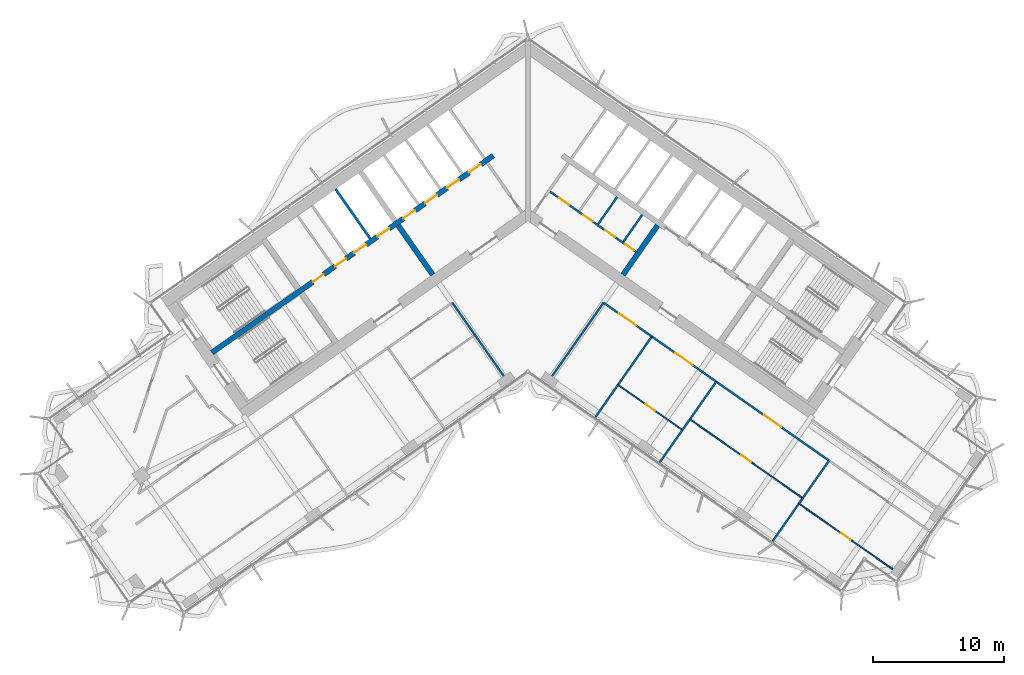
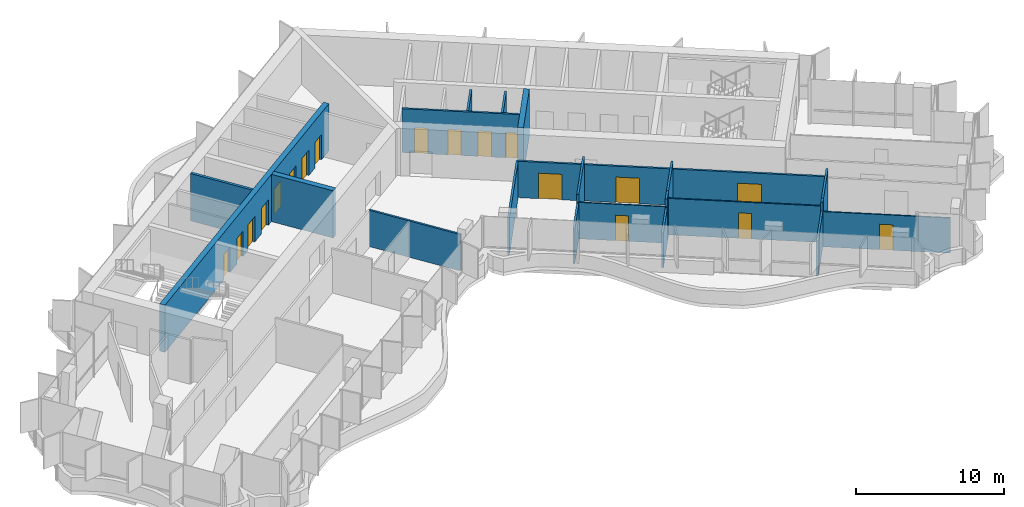
# One storey, part 15 of 23: 24 walls, 18 doors, 18 openings.
"""IFC4 building model written with IfcOpenShell, lengths in metres."""

import ifcopenshell
import ifcopenshell.guid

model = None  # the IFC model being written
_history = None  # IfcOwnerHistory: only IFC2X3 demands one
_inside = {}  # id of a spatial element -> (the spatial element, [elements in it])
_under = {}  # id of a project, library or spatial element -> (it, [spatial elements below it])
_declared = {}  # id of a project -> (the project, [libraries it declares])
_typed = {}  # id of a type object -> (the type object, [elements of that type])
_made_of = {}  # id of a material, layer set ... -> (it, [elements and type objects made of it])


def new_model(schema):
    """Start an empty IFC model of exactly this schema.

    Asked for "IFC4X3", IfcOpenShell would pick the latest addendum, in which some entities
    have other attributes; the version numbers below select the first issue.
    IFC2X3 requires an IfcOwnerHistory on every rooted entity: one is made here for all.
    """
    global model, _history
    if schema == "IFC4X3":
        model = ifcopenshell.file(schema_version=(4, 3, 0, 0))
    else:
        model = ifcopenshell.file(schema=schema)
    _inside.clear()
    _under.clear()
    _declared.clear()
    _typed.clear()
    _made_of.clear()
    _history = None
    if model.schema == "IFC2X3":
        org = make("IfcOrganization", Name="unknown")
        user = make(
            "IfcPersonAndOrganization",
            ThePerson=make("IfcPerson", FamilyName="unknown"),
            TheOrganization=org,
        )
        app = make(
            "IfcApplication",
            ApplicationDeveloper=org,
            Version="unknown",
            ApplicationFullName="unknown",
            ApplicationIdentifier="unknown",
        )
        _history = make(
            "IfcOwnerHistory",
            OwningUser=user,
            OwningApplication=app,
            ChangeAction="ADDED",
            CreationDate=0,
        )
    return model


def make(cls, **values):
    """One entity of the class cls with the attributes given. An attribute that is None is left unset."""
    return model.create_entity(
        cls, **{name: value for name, value in values.items() if value is not None}
    )


def rooted(cls, **values):
    """An entity with a GlobalId (a new one), such as an element, a storey or a relation."""
    return make(cls, GlobalId=ifcopenshell.guid.new(), OwnerHistory=_history, **values)


def si_unit(unit_type, name, prefix=None):
    """IfcSIUnit, for example si_unit("LENGTHUNIT", "METRE", prefix="MILLI")."""
    return make("IfcSIUnit", UnitType=unit_type, Prefix=prefix, Name=name)


def assignment(units):
    """IfcUnitAssignment: the units of a project."""
    return None if units is None else make("IfcUnitAssignment", Units=units)


def point(xyz):
    """IfcCartesianPoint."""
    return None if xyz is None else make("IfcCartesianPoint", Coordinates=xyz)


def direction(xyz):
    """IfcDirection."""
    return None if xyz is None else make("IfcDirection", DirectionRatios=xyz)


def frame(location, z_axis=None, x_axis=None):
    """IfcAxis2Placement3D, a coordinate frame: its origin and axes. An axis left out is left unset."""
    return make(
        "IfcAxis2Placement3D",
        Location=point(location),
        Axis=direction(z_axis),
        RefDirection=direction(x_axis),
    )


def frame_2d(location, x_axis=None):
    """IfcAxis2Placement2D, a coordinate frame in the plane: its origin and x axis."""
    return make(
        "IfcAxis2Placement2D", Location=point(location), RefDirection=direction(x_axis)
    )


def origin():
    """The frame at (0, 0, 0) with its axes left unset."""
    return frame((0.0, 0.0, 0.0))


def place(relative_to, where):
    """IfcLocalPlacement: puts the frame where relative to a parent placement (None: the world)."""
    return make(
        "IfcLocalPlacement", PlacementRelTo=relative_to, RelativePlacement=where
    )


def context(
    kind, dimensions, precision=None, world=None, true_north=None, identifier=None
):
    """IfcGeometricRepresentationContext, for example the 3D "Model" context."""
    return make(
        "IfcGeometricRepresentationContext",
        ContextIdentifier=identifier,
        ContextType=kind,
        CoordinateSpaceDimension=dimensions,
        Precision=precision,
        WorldCoordinateSystem=world,
        TrueNorth=true_north,
    )


def subcontext(parent, identifier, kind, view, scale=None):
    """IfcGeometricRepresentationSubContext, for example "Body" below "Model"."""
    return make(
        "IfcGeometricRepresentationSubContext",
        ContextIdentifier=identifier,
        ContextType=kind,
        ParentContext=parent,
        TargetScale=scale,
        TargetView=view,
    )


def project(units=None, contexts=None):
    """IfcProject with its units and contexts."""
    return rooted(
        "IfcProject",
        Name="project",
        RepresentationContexts=contexts,
        UnitsInContext=assignment(units),
    )


def spatial(cls, under=None, at=None, **own):
    """A site, building, storey or space (cls), placed at a placement, below another one or the project."""
    s = rooted(cls, ObjectPlacement=at, **own)
    if under is not None:
        _under.setdefault(under.id(), (under, []))[1].append(s)
    return s


def polyline(points):
    """IfcPolyline through the points."""
    return make("IfcPolyline", Points=[point(p) for p in points])


def profile(cls, at=None, kind="AREA", **sizes):
    """A parametric profile (cls). Its sizes go by their IFC names, for example OverallWidth=200.0."""
    return make(cls, ProfileType=kind, Position=at, **sizes)


def rectangle(**sizes):
    """IfcRectangleProfileDef."""
    return profile("IfcRectangleProfileDef", **sizes)


def outline(outer, holes=None, kind="AREA"):
    """IfcArbitraryClosedProfileDef: a profile drawn as a closed curve; with holes, ...WithVoids."""
    if holes is None:
        return make("IfcArbitraryClosedProfileDef", ProfileType=kind, OuterCurve=outer)
    return make(
        "IfcArbitraryProfileDefWithVoids",
        ProfileType=kind,
        OuterCurve=outer,
        InnerCurves=holes,
    )


def extrude(swept, where, along, depth):
    """IfcExtrudedAreaSolid: the profile swept, set in the frame where, extruded along a direction by depth."""
    return make(
        "IfcExtrudedAreaSolid",
        SweptArea=swept,
        Position=where,
        ExtrudedDirection=direction(along),
        Depth=depth,
    )


def shape(context_of_items, identifier, shape_type, items):
    """IfcShapeRepresentation: the items that make up one representation, for example the "Body"."""
    return make(
        "IfcShapeRepresentation",
        ContextOfItems=context_of_items,
        RepresentationIdentifier=identifier,
        RepresentationType=shape_type,
        Items=items,
    )


def material(Name=None, Category=None):
    """IfcMaterial."""
    return make("IfcMaterial", Name=Name, Category=Category)


def layer(
    of_material, thickness, ventilated=None, Name=None, Category=None, Priority=None
):
    """IfcMaterialLayer: one layer of a wall or slab, of a material (None: an air gap)."""
    return make(
        "IfcMaterialLayer",
        Material=of_material,
        LayerThickness=thickness,
        IsVentilated=ventilated,
        Name=Name,
        Category=Category,
        Priority=Priority,
    )


def layer_set(layers, Name=None):
    """IfcMaterialLayerSet."""
    return make("IfcMaterialLayerSet", MaterialLayers=layers, LayerSetName=Name)


def made_of(thing, what):
    """Note that an element or type object is made of a material, layer set ...; save() writes the relation."""
    if what is not None:
        _made_of.setdefault(what.id(), (what, []))[1].append(thing)
    return thing


def type_object(cls, material=None, **own):
    """A type object (cls), such as IfcWallType, which elements share."""
    return made_of(rooted(cls, **own), material)


def element(
    cls,
    number,
    at=None,
    inside=None,
    cuts=None,
    type_object=None,
    material=None,
    context=None,
    identifier="Body",
    shape_type=None,
    held_by="IfcProductDefinitionShape",
    body=None,
    shapes=None,
    **own,
):
    """One element of the class cls, such as IfcWall. Its Tag is "e" and its number.

    at: its placement. inside: the storey or other place that contains it. cuts: it is an
    opening in that element (IfcRelVoidsElement). A single representation is given by context,
    identifier, shape_type and body (its items); several are given by shapes. held_by: the class
    of the entity that holds the representations. save() writes the other relations.
    """
    e = rooted(cls, Tag="e%d" % number, ObjectPlacement=at, **own)
    if body is not None:
        shapes = [shape(context, identifier, shape_type, body)]
    if shapes is not None:
        e.Representation = make(held_by, Representations=shapes)
    if inside is not None:
        _inside.setdefault(inside.id(), (inside, []))[1].append(e)
    if cuts is not None:
        rooted(
            "IfcRelVoidsElement", RelatingBuildingElement=cuts, RelatedOpeningElement=e
        )
    if type_object is not None:
        _typed.setdefault(type_object.id(), (type_object, []))[1].append(e)
    return made_of(e, material)


def fill(opening, filler):
    """IfcRelFillsElement: the door or window that sits in an opening."""
    return rooted(
        "IfcRelFillsElement",
        RelatingOpeningElement=opening,
        RelatedBuildingElement=filler,
    )


def aggregate(whole, parts):
    """IfcRelAggregates: a whole, such as a stair, and the parts it consists of."""
    return rooted("IfcRelAggregates", RelatingObject=whole, RelatedObjects=parts)


def save(model, path):
    """Write the relations noted so far, then the file.

    IfcRelAggregates (storeys below a building ...), IfcRelContainedInSpatialStructure (elements
    in a storey), IfcRelDefinesByType, IfcRelAssociatesMaterial and IfcRelDeclares: one each for
    every whole, place, type object, material and project.
    """
    for whole, parts in _under.values():
        aggregate(whole, parts)
    for where, things in _inside.values():
        rooted(
            "IfcRelContainedInSpatialStructure",
            RelatedElements=things,
            RelatingStructure=where,
        )
    for kind, things in _typed.values():
        rooted("IfcRelDefinesByType", RelatedObjects=things, RelatingType=kind)
    for what, things in _made_of.values():
        rooted("IfcRelAssociatesMaterial", RelatedObjects=things, RelatingMaterial=what)
    for by, libraries in _declared.values():
        rooted("IfcRelDeclares", RelatingContext=by, RelatedDefinitions=libraries)
    model.write(path)


model = new_model("IFC4")

# Units and contexts
model_context = context("Model", 3, precision=1e-05, world=origin(), true_north=direction((0.0, 1.0)))
body_context = subcontext(model_context, "Body", "Model", "MODEL_VIEW")
ifc_project = project(units=[si_unit("LENGTHUNIT", "METRE"), si_unit("AREAUNIT", "SQUARE_METRE"), si_unit("VOLUMEUNIT", "CUBIC_METRE"), si_unit("PLANEANGLEUNIT", "RADIAN"), si_unit("MASSUNIT", "GRAM", prefix="KILO")], contexts=[model_context])

# Site, building, storey
site_placement = place(None, origin())
site = spatial("IfcSite", under=ifc_project, at=site_placement, CompositionType="ELEMENT")
building_placement = place(site_placement, origin())
building = spatial("IfcBuilding", under=site, at=building_placement, Name="Tel Ilan Convention Tower", CompositionType="ELEMENT")
storey_placement = place(building_placement, frame((0.0, 0.0, 198.300048828125)))
storey = spatial("IfcBuildingStorey", under=building, at=storey_placement, Name="L46", CompositionType="ELEMENT", Elevation=198.300048828125)

# Wall, openings, doors
ifc_material_1 = material(Name="Gypsum Plasterboard on Steel Stud", Category="steel")
ifc_layer_1 = layer(ifc_material_1, 0.14990234375)
ifc_layer_set_1 = layer_set([ifc_layer_1], Name="Core Room Partition Wall 150 mm EI 60")
wall_type_1 = type_object("IfcWallType", Name="Core Room Partition Wall 150 mm EI 60", PredefinedType="PARTITIONING", material=ifc_layer_set_1)
wall_1_placement = place(storey_placement, frame((1.687744140625, 1.015625, 0.0), z_axis=(0.0, 0.0, 1.0), x_axis=(0.819151624752, -0.573577035512, 0.0)))
wall_1 = element("IfcWall", 1, at=wall_1_placement, inside=storey, type_object=wall_type_1, Name="L46 core wall wc-h1", PredefinedType="PARTITIONING", context=body_context, shape_type="SweptSolid", body=[
    extrude(rectangle(XDim=8.0, YDim=0.14990234375, at=frame_2d((4.0, 0.0))), origin(), (0.0, 0.0, 1.0), 3.619873046875),
])
opening_1_placement = place(wall_1_placement, frame((0.85009765625, 0.0, 0.0)))
opening_1 = element("IfcOpeningElement", 2, at=opening_1_placement, cuts=wall_1, Name="Opening CD3613", PredefinedType="OPENING", context=body_context, shape_type="SweptSolid", body=[
    extrude(rectangle(XDim=0.89990234375, YDim=2.10009765625, at=frame_2d((0.449951171875, 1.050048828125))), frame((0.0, 0.0849609375, 0.0), z_axis=(0.0, -1.0, 0.0), x_axis=(1.0, 0.0, 0.0)), (0.0, 0.0, 1.0), 0.169921875),
])
opening_2_placement = place(wall_1_placement, frame((3.10009765625, 0.0, 0.0)))
opening_2 = element("IfcOpeningElement", 3, at=opening_2_placement, cuts=wall_1, Name="Opening CD3610", PredefinedType="OPENING", context=body_context, shape_type="SweptSolid", body=[
    extrude(rectangle(XDim=0.89990234375, YDim=2.10009765625, at=frame_2d((0.449951171875, 1.050048828125))), frame((0.0, 0.0849609375, 0.0), z_axis=(0.0, -1.0, 0.0), x_axis=(1.0, 0.0, 0.0)), (0.0, 0.0, 1.0), 0.169921875),
])
opening_3_placement = place(wall_1_placement, frame((5.14990234375, 0.0, 0.0)))
opening_3 = element("IfcOpeningElement", 4, at=opening_3_placement, cuts=wall_1, Name="Opening CD3612", PredefinedType="OPENING", context=body_context, shape_type="SweptSolid", body=[
    extrude(rectangle(XDim=0.89990234375, YDim=2.10009765625, at=frame_2d((0.449951171875, 1.050048828125))), frame((0.0, 0.0849609375, 0.0), z_axis=(0.0, -1.0, 0.0), x_axis=(1.0, 0.0, 0.0)), (0.0, 0.0, 1.0), 0.169921875),
])
opening_4_placement = place(wall_1_placement, frame((7.02490234375, 0.0, 0.0)))
opening_4 = element("IfcOpeningElement", 5, at=opening_4_placement, cuts=wall_1, Name="Opening CD3611", PredefinedType="OPENING", context=body_context, shape_type="SweptSolid", body=[
    extrude(rectangle(XDim=0.800048828125, YDim=2.10009765625, at=frame_2d((0.39990234375, 1.050048828125))), frame((0.0, 0.0849609375, 0.0), z_axis=(0.0, -1.0, 0.0), x_axis=(1.0, 0.0, 0.0)), (0.0, 0.0, 1.0), 0.169921875),
])
ifc_material_2 = material(Name="Galvanised Steel Door Leaf", Category="steel")
door_type_1 = type_object("IfcDoorType", Name="Store Door 800 x 2100 FD60", OperationType="NOTDEFINED", PredefinedType="DOOR", material=ifc_material_2)
door_1_placement = place(opening_4_placement, origin())
door_1 = element("IfcDoor", 6, at=door_1_placement, inside=storey, type_object=door_type_1, Name="Cleaner's store door", OperationType="SINGLE_SWING_RIGHT", OverallHeight=2.10009765625, OverallWidth=0.800048828125, PredefinedType="DOOR", context=body_context, shape_type="SweptSolid", body=[
    extrude(rectangle(XDim=0.800048828125, YDim=2.10009765625, at=frame_2d((0.39990234375, 1.050048828125))), frame((0.0, 0.02490234375, 0.0), z_axis=(0.0, -1.0, 0.0), x_axis=(1.0, 0.0, 0.0)), (0.0, 0.0, 1.0), 0.050048828125),
])
fill(opening_4, door_1)
ifc_material_3 = material(Name="Laminated Timber Door Leaf", Category="wood")
door_type_2 = type_object("IfcDoorType", Name="Toilet Door 900 x 2100 FD30S", OperationType="NOTDEFINED", PredefinedType="DOOR", material=ifc_material_3)
door_2_placement = place(opening_1_placement, origin())
door_2 = element("IfcDoor", 7, at=door_2_placement, inside=storey, type_object=door_type_2, Name="Women's WC door", OperationType="SINGLE_SWING_RIGHT", OverallHeight=2.10009765625, OverallWidth=0.89990234375, PredefinedType="DOOR", context=body_context, shape_type="SweptSolid", body=[
    extrude(rectangle(XDim=0.89990234375, YDim=2.10009765625, at=frame_2d((0.449951171875, 1.050048828125))), frame((0.0, 0.02490234375, 0.0), z_axis=(0.0, -1.0, 0.0), x_axis=(1.0, 0.0, 0.0)), (0.0, 0.0, 1.0), 0.050048828125),
])
fill(opening_1, door_2)
door_3_placement = place(opening_2_placement, origin())
door_3 = element("IfcDoor", 8, at=door_3_placement, inside=storey, type_object=door_type_2, Name="Accessible WC door", OperationType="SINGLE_SWING_RIGHT", OverallHeight=2.10009765625, OverallWidth=0.89990234375, PredefinedType="DOOR", context=body_context, shape_type="SweptSolid", body=[
    extrude(rectangle(XDim=0.89990234375, YDim=2.10009765625, at=frame_2d((0.449951171875, 1.050048828125))), frame((0.0, 0.02490234375, 0.0), z_axis=(0.0, -1.0, 0.0), x_axis=(1.0, 0.0, 0.0)), (0.0, 0.0, 1.0), 0.050048828125),
])
fill(opening_2, door_3)
door_4_placement = place(opening_3_placement, origin())
door_4 = element("IfcDoor", 9, at=door_4_placement, inside=storey, type_object=door_type_2, Name="Men's WC door", OperationType="SINGLE_SWING_RIGHT", OverallHeight=2.10009765625, OverallWidth=0.89990234375, PredefinedType="DOOR", context=body_context, shape_type="SweptSolid", body=[
    extrude(rectangle(XDim=0.89990234375, YDim=2.10009765625, at=frame_2d((0.449951171875, 1.050048828125))), frame((0.0, 0.02490234375, 0.0), z_axis=(0.0, -1.0, 0.0), x_axis=(1.0, 0.0, 0.0)), (0.0, 0.0, 1.0), 0.050048828125),
])
fill(opening_3, door_4)

# Walls
for number, where, z_axis, x_axis, name in (
    (10, (5.35546875, -1.4609375, 0.0), (0.0, 0.0, 1.0), (0.573566168143, 0.81915923407, 0.0), "L46 core wall wc-v1"),
    (11, (7.280517578125, -2.808837890625, 0.0), (0.0, 0.0, 1.0), (0.573566168143, 0.81915923407, 0.0), "L46 core wall wc-v2"),
):
    element("IfcWall", number, at=place(storey_placement, frame(where, z_axis=z_axis, x_axis=x_axis)), inside=storey, type_object=wall_type_1, Name=name, PredefinedType="PARTITIONING", context=body_context, shape_type="SweptSolid", body=[
        extrude(rectangle(XDim=2.52490234375, YDim=0.14990234375, at=frame_2d((1.262451171875, 0.0))), origin(), (0.0, 0.0, 1.0), 3.619873046875),
    ])
ifc_material_4 = material(Name="Concrete C50/60", Category="concrete")
ifc_layer_2 = layer(ifc_material_4, 0.39990234375)
ifc_layer_set_2 = layer_set([ifc_layer_2], Name="Core Shear Wall 400 mm C50/60")
wall_type_2 = type_object("IfcWallType", Name="Core Shear Wall 400 mm C50/60", PredefinedType="SHEAR", material=ifc_layer_set_2)
wall_2_placement = place(storey_placement, frame((-7.2578125, -5.325927734375, 0.0), z_axis=(0.0, 0.0, 1.0), x_axis=(-0.573540709186, 0.819177059558, 0.0)))
element("IfcWall", 12, at=wall_2_placement, inside=storey, type_object=wall_type_2, Name="L46 core wall W-cross1-1", PredefinedType="SHEAR", context=body_context, shape_type="SweptSolid", body=[
    extrude(outline(polyline([(4.599853515625, 0.2001953125), (-0.000244140625, 0.199951171875), (-0.000244140625, -0.2001953125), (4.599853515625, -0.199951171875), (4.599853515625, 0.2001953125)])), origin(), (0.0, 0.0, 1.0), 3.89990234375),
])

# Wall, openings, doors
wall_3_placement = place(storey_placement, frame((-2.638427734375, 3.76806640625, 0.0), z_axis=(0.0, 0.0, 1.0), x_axis=(-0.81915267502, -0.573575535572, 0.0)))
wall_3 = element("IfcWall", 13, at=wall_3_placement, inside=storey, type_object=wall_type_2, Name="L46 core wall W-spine", PredefinedType="SHEAR", context=body_context, shape_type="SweptSolid", body=[
    extrude(outline(polyline([(26.199951171875, 0.199951171875), (0.0, 0.199951171875), (0.0, -0.199951171875), (26.199951171875, -0.199951171875), (26.199951171875, 0.199951171875)])), origin(), (0.0, 0.0, 1.0), 3.89990234375),
])
opening_5_placement = place(wall_3_placement, frame((1.168701171875, 0.0, 0.0)))
opening_5 = element("IfcOpeningElement", 14, at=opening_5_placement, cuts=wall_3, Name="Opening LD3604", PredefinedType="OPENING", context=body_context, shape_type="SweptSolid", body=[
    extrude(rectangle(XDim=1.10009765625, YDim=2.10009765625, at=frame_2d((0.550048828125, 1.050048828125))), frame((0.0, 0.2099609375, 0.0), z_axis=(0.0, -1.0, 0.0), x_axis=(1.0, 0.0, 0.0)), (0.0, 0.0, 1.0), 0.419921875),
])
opening_6_placement = place(wall_3_placement, frame((3.206298828125, 0.0, 0.0)))
opening_6 = element("IfcOpeningElement", 15, at=opening_6_placement, cuts=wall_3, Name="Opening LD3605", PredefinedType="OPENING", context=body_context, shape_type="SweptSolid", body=[
    extrude(rectangle(XDim=1.10009765625, YDim=2.10009765625, at=frame_2d((0.550048828125, 1.050048828125))), frame((0.0, 0.2099609375, 0.0), z_axis=(0.0, -1.0, 0.0), x_axis=(1.0, 0.0, 0.0)), (0.0, 0.0, 1.0), 0.419921875),
])
opening_7_placement = place(wall_3_placement, frame((5.24365234375, 0.0, 0.0)))
opening_7 = element("IfcOpeningElement", 16, at=opening_7_placement, cuts=wall_3, Name="Opening LD3606", PredefinedType="OPENING", context=body_context, shape_type="SweptSolid", body=[
    extrude(rectangle(XDim=1.10009765625, YDim=2.10009765625, at=frame_2d((0.550048828125, 1.050048828125))), frame((0.0, 0.2099609375, 0.0), z_axis=(0.0, -1.0, 0.0), x_axis=(1.0, 0.0, 0.0)), (0.0, 0.0, 1.0), 0.419921875),
])
opening_8_placement = place(wall_3_placement, frame((7.28125, 0.0, 0.0)))
opening_8 = element("IfcOpeningElement", 17, at=opening_8_placement, cuts=wall_3, Name="Opening LD3607", PredefinedType="OPENING", context=body_context, shape_type="SweptSolid", body=[
    extrude(rectangle(XDim=1.10009765625, YDim=2.10009765625, at=frame_2d((0.550048828125, 1.050048828125))), frame((0.0, 0.2099609375, 0.0), z_axis=(0.0, -1.0, 0.0), x_axis=(1.0, 0.0, 0.0)), (0.0, 0.0, 1.0), 0.419921875),
])
opening_9_placement = place(wall_3_placement, frame((9.6875, 0.0, 0.0)))
opening_9 = element("IfcOpeningElement", 18, at=opening_9_placement, cuts=wall_3, Name="Opening LD3608", PredefinedType="OPENING", context=body_context, shape_type="SweptSolid", body=[
    extrude(rectangle(XDim=1.10009765625, YDim=2.10009765625, at=frame_2d((0.550048828125, 1.050048828125))), frame((0.0, 0.2099609375, 0.0), z_axis=(0.0, -1.0, 0.0), x_axis=(1.0, 0.0, 0.0)), (0.0, 0.0, 1.0), 0.419921875),
])
opening_10_placement = place(wall_3_placement, frame((11.862548828125, 0.0, 0.0)))
opening_10 = element("IfcOpeningElement", 19, at=opening_10_placement, cuts=wall_3, Name="Opening LD3609", PredefinedType="OPENING", context=body_context, shape_type="SweptSolid", body=[
    extrude(rectangle(XDim=1.10009765625, YDim=2.10009765625, at=frame_2d((0.550048828125, 1.050048828125))), frame((0.0, 0.2099609375, 0.0), z_axis=(0.0, -1.0, 0.0), x_axis=(1.0, 0.0, 0.0)), (0.0, 0.0, 1.0), 0.419921875),
])
opening_11_placement = place(wall_3_placement, frame((13.722412109375, 0.0, 0.0)))
opening_11 = element("IfcOpeningElement", 20, at=opening_11_placement, cuts=wall_3, Name="Opening CD3608", PredefinedType="OPENING", context=body_context, shape_type="SweptSolid", body=[
    extrude(rectangle(XDim=1.0, YDim=2.10009765625, at=frame_2d((0.5, 1.050048828125))), frame((0.0, 0.2099609375, 0.0), z_axis=(0.0, -1.0, 0.0), x_axis=(1.0, 0.0, 0.0)), (0.0, 0.0, 1.0), 0.419921875),
])
opening_12_placement = place(wall_3_placement, frame((15.797607421875, 0.0, 0.0)))
opening_12 = element("IfcOpeningElement", 21, at=opening_12_placement, cuts=wall_3, Name="Opening CD3609", PredefinedType="OPENING", context=body_context, shape_type="SweptSolid", body=[
    extrude(rectangle(XDim=1.0, YDim=2.10009765625, at=frame_2d((0.5, 1.050048828125))), frame((0.0, 0.2099609375, 0.0), z_axis=(0.0, -1.0, 0.0), x_axis=(1.0, 0.0, 0.0)), (0.0, 0.0, 1.0), 0.419921875),
])
ifc_material_5 = material(Name="Stainless Steel Sliding Door Leaf", Category="steel")
door_type_3 = type_object("IfcDoorType", Name="Lift Landing Door 1100 x 2100 FD120", OperationType="NOTDEFINED", PredefinedType="DOOR", material=ifc_material_5)
door_5_placement = place(opening_5_placement, origin())
door_5 = element("IfcDoor", 22, at=door_5_placement, inside=storey, type_object=door_type_3, Name="Lift LR1 landing door", OperationType="SLIDING_TO_LEFT", OverallHeight=2.10009765625, OverallWidth=1.10009765625, PredefinedType="DOOR", context=body_context, shape_type="SweptSolid", body=[
    extrude(rectangle(XDim=1.10009765625, YDim=2.10009765625, at=frame_2d((0.550048828125, 1.050048828125))), frame((0.0, 0.02490234375, 0.0), z_axis=(0.0, -1.0, 0.0), x_axis=(1.0, 0.0, 0.0)), (0.0, 0.0, 1.0), 0.050048828125),
])
fill(opening_5, door_5)
door_6_placement = place(opening_6_placement, origin())
door_6 = element("IfcDoor", 23, at=door_6_placement, inside=storey, type_object=door_type_3, Name="Lift LR2 landing door", OperationType="SLIDING_TO_RIGHT", OverallHeight=2.10009765625, OverallWidth=1.10009765625, PredefinedType="DOOR", context=body_context, shape_type="SweptSolid", body=[
    extrude(rectangle(XDim=1.10009765625, YDim=2.10009765625, at=frame_2d((0.550048828125, 1.050048828125))), frame((0.0, 0.02490234375, 0.0), z_axis=(0.0, -1.0, 0.0), x_axis=(1.0, 0.0, 0.0)), (0.0, 0.0, 1.0), 0.050048828125),
])
fill(opening_6, door_6)
door_7_placement = place(opening_7_placement, origin())
door_7 = element("IfcDoor", 24, at=door_7_placement, inside=storey, type_object=door_type_3, Name="Lift LR3 landing door", OperationType="SLIDING_TO_LEFT", OverallHeight=2.10009765625, OverallWidth=1.10009765625, PredefinedType="DOOR", context=body_context, shape_type="SweptSolid", body=[
    extrude(rectangle(XDim=1.10009765625, YDim=2.10009765625, at=frame_2d((0.550048828125, 1.050048828125))), frame((0.0, 0.02490234375, 0.0), z_axis=(0.0, -1.0, 0.0), x_axis=(1.0, 0.0, 0.0)), (0.0, 0.0, 1.0), 0.050048828125),
])
fill(opening_7, door_7)
door_8_placement = place(opening_8_placement, origin())
door_8 = element("IfcDoor", 25, at=door_8_placement, inside=storey, type_object=door_type_3, Name="Lift LR4 landing door", OperationType="SLIDING_TO_RIGHT", OverallHeight=2.10009765625, OverallWidth=1.10009765625, PredefinedType="DOOR", context=body_context, shape_type="SweptSolid", body=[
    extrude(rectangle(XDim=1.10009765625, YDim=2.10009765625, at=frame_2d((0.550048828125, 1.050048828125))), frame((0.0, 0.02490234375, 0.0), z_axis=(0.0, -1.0, 0.0), x_axis=(1.0, 0.0, 0.0)), (0.0, 0.0, 1.0), 0.050048828125),
])
fill(opening_8, door_8)
door_9_placement = place(opening_9_placement, origin())
door_9 = element("IfcDoor", 26, at=door_9_placement, inside=storey, type_object=door_type_3, Name="Lift LR5 landing door", OperationType="SLIDING_TO_LEFT", OverallHeight=2.10009765625, OverallWidth=1.10009765625, PredefinedType="DOOR", context=body_context, shape_type="SweptSolid", body=[
    extrude(rectangle(XDim=1.10009765625, YDim=2.10009765625, at=frame_2d((0.550048828125, 1.050048828125))), frame((0.0, 0.02490234375, 0.0), z_axis=(0.0, -1.0, 0.0), x_axis=(1.0, 0.0, 0.0)), (0.0, 0.0, 1.0), 0.050048828125),
])
fill(opening_9, door_9)
door_10_placement = place(opening_10_placement, origin())
door_10 = element("IfcDoor", 27, at=door_10_placement, inside=storey, type_object=door_type_3, Name="Lift LR6 landing door", OperationType="SLIDING_TO_RIGHT", OverallHeight=2.10009765625, OverallWidth=1.10009765625, PredefinedType="DOOR", context=body_context, shape_type="SweptSolid", body=[
    extrude(rectangle(XDim=1.10009765625, YDim=2.10009765625, at=frame_2d((0.550048828125, 1.050048828125))), frame((0.0, 0.02490234375, 0.0), z_axis=(0.0, -1.0, 0.0), x_axis=(1.0, 0.0, 0.0)), (0.0, 0.0, 1.0), 0.050048828125),
])
fill(opening_10, door_10)
ifc_material_6 = material(Name="Galvanised Steel Door Leaf", Category="steel")
door_type_4 = type_object("IfcDoorType", Name="Service Room Door 1000 x 2100 FD60", OperationType="NOTDEFINED", PredefinedType="DOOR", material=ifc_material_6)
door_11_placement = place(opening_11_placement, origin())
door_11 = element("IfcDoor", 28, at=door_11_placement, inside=storey, type_object=door_type_4, Name="Plant Room door", OperationType="SINGLE_SWING_RIGHT", OverallHeight=2.10009765625, OverallWidth=1.0, PredefinedType="DOOR", context=body_context, shape_type="SweptSolid", body=[
    extrude(rectangle(XDim=1.0, YDim=2.10009765625, at=frame_2d((0.5, 1.050048828125))), frame((0.0, 0.02490234375, 0.0), z_axis=(0.0, -1.0, 0.0), x_axis=(1.0, 0.0, 0.0)), (0.0, 0.0, 1.0), 0.050048828125),
])
fill(opening_11, door_11)
door_12_placement = place(opening_12_placement, origin())
door_12 = element("IfcDoor", 29, at=door_12_placement, inside=storey, type_object=door_type_4, Name="Plant Room door", OperationType="SINGLE_SWING_RIGHT", OverallHeight=2.10009765625, OverallWidth=1.0, PredefinedType="DOOR", context=body_context, shape_type="SweptSolid", body=[
    extrude(rectangle(XDim=1.0, YDim=2.10009765625, at=frame_2d((0.5, 1.050048828125))), frame((0.0, 0.02490234375, 0.0), z_axis=(0.0, -1.0, 0.0), x_axis=(1.0, 0.0, 0.0)), (0.0, 0.0, 1.0), 0.050048828125),
])
fill(opening_12, door_12)

# Wall
wall_4_placement = place(storey_placement, frame((7.2578125, -5.325927734375, 0.0), z_axis=(0.0, 0.0, 1.0), x_axis=(0.573540709186, 0.819177059558, 0.0)))
element("IfcWall", 30, at=wall_4_placement, inside=storey, type_object=wall_type_2, Name="L46 core wall E-cross1-1", PredefinedType="SHEAR", context=body_context, shape_type="SweptSolid", body=[
    extrude(outline(polyline([(-0.000244140625, 0.2001953125), (-0.000244140625, -0.199951171875), (4.599853515625, -0.2001953125), (4.599853515625, 0.199951171875), (-0.000244140625, 0.2001953125)])), origin(), (0.0, 0.0, 1.0), 3.89990234375),
])

# Wall, opening, door
ifc_material_7 = material(Name="Plasterboard on Steel Studs", Category="steel")
ifc_layer_3 = layer(ifc_material_7, 0.14990234375)
ifc_layer_set_3 = layer_set([ifc_layer_3], Name="Fire-rated Partition 150 EI 60")
wall_type_3 = type_object("IfcWallType", Name="Fire-rated Partition 150 EI 60", PredefinedType="PARTITIONING", material=ifc_layer_set_3)
wall_5_placement = place(storey_placement, frame((9.4541015625, -10.0380859375, 0.0), z_axis=(0.0, 0.0, 1.0), x_axis=(-0.819142740634, 0.573589723117, 0.0)))
wall_5 = element("IfcWall", 31, at=wall_5_placement, inside=storey, type_object=wall_type_3, Name="Partition 002", PredefinedType="PARTITIONING", context=body_context, shape_type="SweptSolid", body=[
    extrude(rectangle(XDim=4.501953125, YDim=0.14990234375, at=frame_2d((2.2509765625, 0.0))), origin(), (0.0, 0.0, 1.0), 3.0),
])
opening_13_placement = place(wall_5_placement, frame((1.450927734375, 0.0, 0.0)))
opening_13 = element("IfcOpeningElement", 32, at=opening_13_placement, cuts=wall_5, Name="Opening L46-007", PredefinedType="OPENING", context=body_context, shape_type="SweptSolid", body=[
    extrude(rectangle(XDim=1.60009765625, YDim=2.10009765625, at=frame_2d((0.800048828125, 1.050048828125))), frame((0.0, 0.0849609375, 0.0), z_axis=(0.0, -1.0, 0.0), x_axis=(1.0, 0.0, 0.0)), (0.0, 0.0, 1.0), 0.169921875),
])
ifc_material_8 = material(Name="Timber Door Leaf in Steel Frame", Category="steel")
door_type_5 = type_object("IfcDoorType", Name="Tenant Suite Entrance Fire Door 1600x2100", OperationType="NOTDEFINED", PredefinedType="DOOR", material=ifc_material_8)
door_13_placement = place(opening_13_placement, origin())
door_13 = element("IfcDoor", 33, at=door_13_placement, inside=storey, type_object=door_type_5, Name="Door L46-007", OperationType="DOUBLE_DOOR_SINGLE_SWING", OverallHeight=2.10009765625, OverallWidth=1.60009765625, PredefinedType="DOOR", context=body_context, shape_type="SweptSolid", body=[
    extrude(rectangle(XDim=1.60009765625, YDim=2.10009765625, at=frame_2d((0.800048828125, 1.050048828125))), frame((0.0, 0.02490234375, 0.0), z_axis=(0.0, -1.0, 0.0), x_axis=(1.0, 0.0, 0.0)), (0.0, 0.0, 1.0), 0.050048828125),
])
fill(opening_13, door_13)

wall_6_placement = place(storey_placement, frame((14.369140625, -13.4794921875, 0.0), z_axis=(0.0, 0.0, 1.0), x_axis=(-0.819165052243, 0.573557858619, 0.0)))
wall_6 = element("IfcWall", 34, at=wall_6_placement, inside=storey, type_object=wall_type_3, Name="Partition 003", PredefinedType="PARTITIONING", context=body_context, shape_type="SweptSolid", body=[
    extrude(rectangle(XDim=6.00390625, YDim=0.14990234375, at=frame_2d((3.001953125, 0.0))), origin(), (0.0, 0.0, 1.0), 3.0),
])
opening_14_placement = place(wall_6_placement, frame((2.201904296875, 0.0, 0.0)))
opening_14 = element("IfcOpeningElement", 35, at=opening_14_placement, cuts=wall_6, Name="Opening L46-008", PredefinedType="OPENING", context=body_context, shape_type="SweptSolid", body=[
    extrude(rectangle(XDim=1.60009765625, YDim=2.10009765625, at=frame_2d((0.800048828125, 1.050048828125))), frame((0.0, 0.0849609375, 0.0), z_axis=(0.0, -1.0, 0.0), x_axis=(1.0, 0.0, 0.0)), (0.0, 0.0, 1.0), 0.169921875),
])
door_14_placement = place(opening_14_placement, origin())
door_14 = element("IfcDoor", 36, at=door_14_placement, inside=storey, type_object=door_type_5, Name="Door L46-008", OperationType="DOUBLE_DOOR_SINGLE_SWING", OverallHeight=2.10009765625, OverallWidth=1.60009765625, PredefinedType="DOOR", context=body_context, shape_type="SweptSolid", body=[
    extrude(rectangle(XDim=1.60009765625, YDim=2.10009765625, at=frame_2d((0.800048828125, 1.050048828125))), frame((0.0, 0.02490234375, 0.0), z_axis=(0.0, -1.0, 0.0), x_axis=(1.0, 0.0, 0.0)), (0.0, 0.0, 1.0), 0.050048828125),
])
fill(opening_14, door_14)

wall_7_placement = place(storey_placement, frame((22.97021484375, -19.502197265625, 0.0), z_axis=(0.0, 0.0, 1.0), x_axis=(-0.81915329441, 0.573574650989, 0.0)))
wall_7 = element("IfcWall", 37, at=wall_7_placement, inside=storey, type_object=wall_type_3, Name="Partition 004", PredefinedType="PARTITIONING", context=body_context, shape_type="SweptSolid", body=[
    extrude(rectangle(XDim=10.504150390625, YDim=0.14990234375, at=frame_2d((5.251953125, 0.0))), origin(), (0.0, 0.0, 1.0), 3.0),
])
opening_15_placement = place(wall_7_placement, frame((4.451904296875, 0.0, 0.0)))
opening_15 = element("IfcOpeningElement", 38, at=opening_15_placement, cuts=wall_7, Name="Opening L46-010", PredefinedType="OPENING", context=body_context, shape_type="SweptSolid", body=[
    extrude(rectangle(XDim=1.60009765625, YDim=2.10009765625, at=frame_2d((0.800048828125, 1.050048828125))), frame((0.0, 0.0849609375, 0.0), z_axis=(0.0, -1.0, 0.0), x_axis=(1.0, 0.0, 0.0)), (0.0, 0.0, 1.0), 0.169921875),
])
door_15_placement = place(opening_15_placement, origin())
door_15 = element("IfcDoor", 39, at=door_15_placement, inside=storey, type_object=door_type_5, Name="Door L46-010", OperationType="DOUBLE_DOOR_SINGLE_SWING", OverallHeight=2.10009765625, OverallWidth=1.60009765625, PredefinedType="DOOR", context=body_context, shape_type="SweptSolid", body=[
    extrude(rectangle(XDim=1.60009765625, YDim=2.10009765625, at=frame_2d((0.800048828125, 1.050048828125))), frame((0.0, 0.02490234375, 0.0), z_axis=(0.0, -1.0, 0.0), x_axis=(1.0, 0.0, 0.0)), (0.0, 0.0, 1.0), 0.050048828125),
])
fill(opening_15, door_15)

# Walls
wall_8_placement = place(storey_placement, frame((6.8720703125, -13.722412109375, 0.0), z_axis=(0.0, 0.0, 1.0), x_axis=(-0.57364797641, -0.819101946745, 0.0)))
element("IfcWall", 40, at=wall_8_placement, inside=storey, type_object=wall_type_3, Name="Partition 011", PredefinedType="PARTITIONING", context=body_context, shape_type="SweptSolid", body=[
    extrude(rectangle(XDim=3.0009765625, YDim=0.14990234375, at=frame_2d((1.50048828125, 0.0))), origin(), (0.0, 0.0, 1.0), 2.89990234375),
])
wall_9_placement = place(storey_placement, frame((9.452392578125, -10.036865234375, 0.0), z_axis=(0.0, 0.0, 1.0), x_axis=(-0.573553333433, -0.819168220641, 0.0)))
element("IfcWall", 41, at=wall_9_placement, inside=storey, type_object=wall_type_3, Name="Partition 012", PredefinedType="PARTITIONING", context=body_context, shape_type="SweptSolid", body=[
    extrude(rectangle(XDim=4.501708984375, YDim=0.14990234375, at=frame_2d((2.2509765625, 0.0))), origin(), (0.0, 0.0, 1.0), 3.619873046875),
])
wall_10_placement = place(storey_placement, frame((1.848876953125, -13.050537109375, 0.0), z_axis=(0.0, 0.0, 1.0), x_axis=(0.573577493031, 0.819151304393, 0.0)))
element("IfcWall", 42, at=wall_10_placement, inside=storey, type_object=wall_type_3, Name="Partition 013", PredefinedType="PARTITIONING", context=body_context, shape_type="SweptSolid", body=[
    extrude(rectangle(XDim=6.829833984375, YDim=0.14990234375, at=frame_2d((3.4150390625, 0.0))), origin(), (0.0, 0.0, 1.0), 3.0),
])
wall_11_placement = place(storey_placement, frame((11.785888671875, -17.165283203125, 0.0), z_axis=(0.0, 0.0, 1.0), x_axis=(-0.573566142353, -0.819159252128, 0.0)))
element("IfcWall", 43, at=wall_11_placement, inside=storey, type_object=wall_type_3, Name="Partition 015", PredefinedType="PARTITIONING", context=body_context, shape_type="SweptSolid", body=[
    extrude(rectangle(XDim=2.999267578125, YDim=0.14990234375, at=frame_2d((1.49951171875, 0.0))), origin(), (0.0, 0.0, 1.0), 2.89990234375),
])
wall_12_placement = place(storey_placement, frame((12.360595703125, -16.344482421875, 0.0), z_axis=(0.0, 0.0, 1.0), x_axis=(-0.573576907489, -0.819151714394, 0.0)))
element("IfcWall", 44, at=wall_12_placement, inside=storey, type_object=wall_type_3, Name="Partition 016", PredefinedType="PARTITIONING", context=body_context, shape_type="SweptSolid", body=[
    extrude(rectangle(XDim=1.001220703125, YDim=0.14990234375, at=frame_2d((0.50048828125, 0.0))), origin(), (0.0, 0.0, 1.0), 3.619873046875),
])
wall_13_placement = place(storey_placement, frame((14.367431640625, -13.478515625, 0.0), z_axis=(0.0, 0.0, 1.0), x_axis=(-0.573588676292, -0.819143473654, 0.0)))
element("IfcWall", 45, at=wall_13_placement, inside=storey, type_object=wall_type_3, Name="Partition 017", PredefinedType="PARTITIONING", context=body_context, shape_type="SweptSolid", body=[
    extrude(rectangle(XDim=3.501708984375, YDim=0.14990234375, at=frame_2d((1.7509765625, 0.0))), origin(), (0.0, 0.0, 1.0), 3.619873046875),
])
wall_14_placement = place(storey_placement, frame((20.6748046875, -22.776611328125, 0.0), z_axis=(0.0, 0.0, 1.0), x_axis=(-0.573560622794, -0.819163116834, 0.0)))
element("IfcWall", 46, at=wall_14_placement, inside=storey, type_object=wall_type_3, Name="Partition 019", PredefinedType="PARTITIONING", context=body_context, shape_type="SweptSolid", body=[
    extrude(rectangle(XDim=3.5009765625, YDim=0.14990234375, at=frame_2d((1.75048828125, 0.0))), origin(), (0.0, 0.0, 1.0), 2.89990234375),
])
wall_15_placement = place(storey_placement, frame((20.96044921875, -22.368896484375, 0.0), z_axis=(0.0, 0.0, 1.0), x_axis=(-0.573560455774, -0.819163233777, 0.0)))
element("IfcWall", 47, at=wall_15_placement, inside=storey, type_object=wall_type_3, Name="Partition 020", PredefinedType="PARTITIONING", context=body_context, shape_type="SweptSolid", body=[
    extrude(rectangle(XDim=0.5009765625, YDim=0.14990234375, at=frame_2d((0.25048828125, 0.0))), origin(), (0.0, 0.0, 1.0), 3.619873046875),
])
wall_16_placement = place(storey_placement, frame((22.968505859375, -19.5009765625, 0.0), z_axis=(0.0, 0.0, 1.0), x_axis=(-0.573598101901, -0.81913687348, 0.0)))
element("IfcWall", 48, at=wall_16_placement, inside=storey, type_object=wall_type_3, Name="Partition 021", PredefinedType="PARTITIONING", context=body_context, shape_type="SweptSolid", body=[
    extrude(rectangle(XDim=3.5, YDim=0.14990234375, at=frame_2d((1.75, 0.0))), origin(), (0.0, 0.0, 1.0), 3.619873046875),
])
wall_17_placement = place(storey_placement, frame((-1.848876953125, -13.050537109375, 0.0), z_axis=(0.0, 0.0, 1.0), x_axis=(-0.573586379587, 0.81914508187, 0.0)))
element("IfcWall", 49, at=wall_17_placement, inside=storey, type_object=wall_type_3, Name="Partition 023", PredefinedType="PARTITIONING", context=body_context, shape_type="SweptSolid", body=[
    extrude(rectangle(XDim=3.830810546875, YDim=0.14990234375, at=frame_2d((1.91552734375, 0.0))), origin(), (0.0, 0.0, 1.0), 3.0),
])
wall_18_placement = place(storey_placement, frame((-4.04443359375, -9.914794921875, 0.0), z_axis=(0.0, 0.0, 1.0), x_axis=(-0.573609604409, 0.819128818764, 0.0)))
element("IfcWall", 50, at=wall_18_placement, inside=storey, type_object=wall_type_3, Name="Partition 024", PredefinedType="PARTITIONING", context=body_context, shape_type="SweptSolid", body=[
    extrude(rectangle(XDim=3.004150390625, YDim=0.14990234375, at=frame_2d((1.501953125, 0.0))), origin(), (0.0, 0.0, 1.0), 3.0),
])
ifc_material_9 = material(Name="Concrete C30/37", Category="concrete")
ifc_layer_4 = layer(ifc_material_9, 0.199951171875)
ifc_layer_set_4 = layer_set([ifc_layer_4], Name="Lift Shaft Wall 200 mm C30/37")
wall_type_4 = type_object("IfcWallType", Name="Lift Shaft Wall 200 mm C30/37", PredefinedType="SOLIDWALL", material=ifc_layer_set_4)
wall_19_placement = place(storey_placement, frame((-12.030029296875, -2.563720703125, 0.0), z_axis=(0.0, 0.0, 1.0), x_axis=(-0.573576324356, 0.819152122709, 0.0)))
element("IfcWall", 51, at=wall_19_placement, inside=storey, type_object=wall_type_4, Name="L46 core wall bank-W2-p0", PredefinedType="SOLIDWALL", context=body_context, shape_type="SweptSolid", body=[
    extrude(rectangle(XDim=4.599853515625, YDim=0.199951171875, at=frame_2d((2.2998046875, 0.0))), origin(), (0.0, 0.0, 1.0), 3.89990234375),
])

# Wall, opening, door
ifc_material_10 = material(Name="Plasterboard on Steel Studs", Category="steel")
ifc_layer_5 = layer(ifc_material_10, 0.10009765625)
ifc_layer_set_5 = layer_set([ifc_layer_5], Name="Plasterboard Partition 100")
wall_type_5 = type_object("IfcWallType", Name="Plasterboard Partition 100", PredefinedType="PARTITIONING", material=ifc_layer_set_5)
wall_20_placement = place(storey_placement, frame((11.785888671875, -17.165283203125, 0.0), z_axis=(0.0, 0.0, 1.0), x_axis=(-0.819163097304, 0.573560650686, 0.0)))
wall_20 = element("IfcWall", 52, at=wall_20_placement, inside=storey, type_object=wall_type_5, Name="Partition 014", PredefinedType="PARTITIONING", context=body_context, shape_type="SweptSolid", body=[
    extrude(rectangle(XDim=6.0, YDim=0.10009765625, at=frame_2d((3.0, 0.0))), origin(), (0.0, 0.0, 1.0), 3.0),
])
opening_16_placement = place(wall_20_placement, frame((2.550048828125, 0.0, 0.0)))
opening_16 = element("IfcOpeningElement", 53, at=opening_16_placement, cuts=wall_20, Name="Opening L46-009", PredefinedType="OPENING", context=body_context, shape_type="SweptSolid", body=[
    extrude(rectangle(XDim=0.89990234375, YDim=2.10009765625, at=frame_2d((0.449951171875, 1.050048828125))), frame((0.0, 0.06005859375, 0.0), z_axis=(0.0, -1.0, 0.0), x_axis=(1.0, 0.0, 0.0)), (0.0, 0.0, 1.0), 0.1201171875),
])
ifc_material_11 = material(Name="Timber Door Leaf in Steel Frame", Category="steel")
door_type_6 = type_object("IfcDoorType", Name="Room Timber Door 900x2100", OperationType="NOTDEFINED", PredefinedType="DOOR", material=ifc_material_11)
door_16_placement = place(opening_16_placement, origin())
door_16 = element("IfcDoor", 54, at=door_16_placement, inside=storey, type_object=door_type_6, Name="Door L46-009", OperationType="SINGLE_SWING_LEFT", OverallHeight=2.10009765625, OverallWidth=0.89990234375, PredefinedType="DOOR", context=body_context, shape_type="SweptSolid", body=[
    extrude(rectangle(XDim=0.89990234375, YDim=2.10009765625, at=frame_2d((0.449951171875, 1.050048828125))), frame((0.0, 0.02490234375, 0.0), z_axis=(0.0, -1.0, 0.0), x_axis=(1.0, 0.0, 0.0)), (0.0, 0.0, 1.0), 0.050048828125),
])
fill(opening_16, door_16)

wall_21_placement = place(storey_placement, frame((20.96044921875, -22.368896484375, 0.0), z_axis=(0.0, 0.0, 1.0), x_axis=(-0.81914452344, 0.573587177086, 0.0)))
wall_21 = element("IfcWall", 55, at=wall_21_placement, inside=storey, type_object=wall_type_5, Name="Partition 018", PredefinedType="PARTITIONING", context=body_context, shape_type="SweptSolid", body=[
    extrude(rectangle(XDim=10.5, YDim=0.10009765625, at=frame_2d((5.25, 0.0))), origin(), (0.0, 0.0, 1.0), 3.0),
])
opening_17_placement = place(wall_21_placement, frame((4.800048828125, 0.0, 0.0)))
opening_17 = element("IfcOpeningElement", 56, at=opening_17_placement, cuts=wall_21, Name="Opening L46-011", PredefinedType="OPENING", context=body_context, shape_type="SweptSolid", body=[
    extrude(rectangle(XDim=0.89990234375, YDim=2.10009765625, at=frame_2d((0.449951171875, 1.050048828125))), frame((0.0, 0.06005859375, 0.0), z_axis=(0.0, -1.0, 0.0), x_axis=(1.0, 0.0, 0.0)), (0.0, 0.0, 1.0), 0.1201171875),
])
door_17_placement = place(opening_17_placement, origin())
door_17 = element("IfcDoor", 57, at=door_17_placement, inside=storey, type_object=door_type_6, Name="Door L46-011", OperationType="SINGLE_SWING_RIGHT", OverallHeight=2.10009765625, OverallWidth=0.89990234375, PredefinedType="DOOR", context=body_context, shape_type="SweptSolid", body=[
    extrude(rectangle(XDim=0.89990234375, YDim=2.10009765625, at=frame_2d((0.449951171875, 1.050048828125))), frame((0.0, 0.02490234375, 0.0), z_axis=(0.0, -1.0, 0.0), x_axis=(1.0, 0.0, 0.0)), (0.0, 0.0, 1.0), 0.050048828125),
])
fill(opening_17, door_17)

wall_22_placement = place(storey_placement, frame((27.82470703125, -27.78564453125, 0.0), z_axis=(0.0, 0.0, 1.0), x_axis=(-0.819149140433, 0.573580583465, 0.0)))
wall_22 = element("IfcWall", 58, at=wall_22_placement, inside=storey, type_object=wall_type_5, Name="Partition 022", PredefinedType="PARTITIONING", context=body_context, shape_type="SweptSolid", body=[
    extrude(rectangle(XDim=8.72998046875, YDim=0.10009765625, at=frame_2d((4.364990234375, 0.0))), origin(), (0.0, 0.0, 1.0), 2.89990234375),
])
opening_18_placement = place(wall_22_placement, frame((3.9150390625, 0.0, 0.0)))
opening_18 = element("IfcOpeningElement", 59, at=opening_18_placement, cuts=wall_22, Name="Opening L46-013", PredefinedType="OPENING", context=body_context, shape_type="SweptSolid", body=[
    extrude(rectangle(XDim=0.89990234375, YDim=2.10009765625, at=frame_2d((0.449951171875, 1.050048828125))), frame((0.0, 0.06005859375, 0.0), z_axis=(0.0, -1.0, 0.0), x_axis=(1.0, 0.0, 0.0)), (0.0, 0.0, 1.0), 0.1201171875),
])
door_18_placement = place(opening_18_placement, origin())
door_18 = element("IfcDoor", 60, at=door_18_placement, inside=storey, type_object=door_type_6, Name="Door L46-013", OperationType="SINGLE_SWING_LEFT", OverallHeight=2.10009765625, OverallWidth=0.89990234375, PredefinedType="DOOR", context=body_context, shape_type="SweptSolid", body=[
    extrude(rectangle(XDim=0.89990234375, YDim=2.10009765625, at=frame_2d((0.449951171875, 1.050048828125))), frame((0.0, 0.02490234375, 0.0), z_axis=(0.0, -1.0, 0.0), x_axis=(1.0, 0.0, 0.0)), (0.0, 0.0, 1.0), 0.050048828125),
])
fill(opening_18, door_18)

save(model, "model.ifc")
